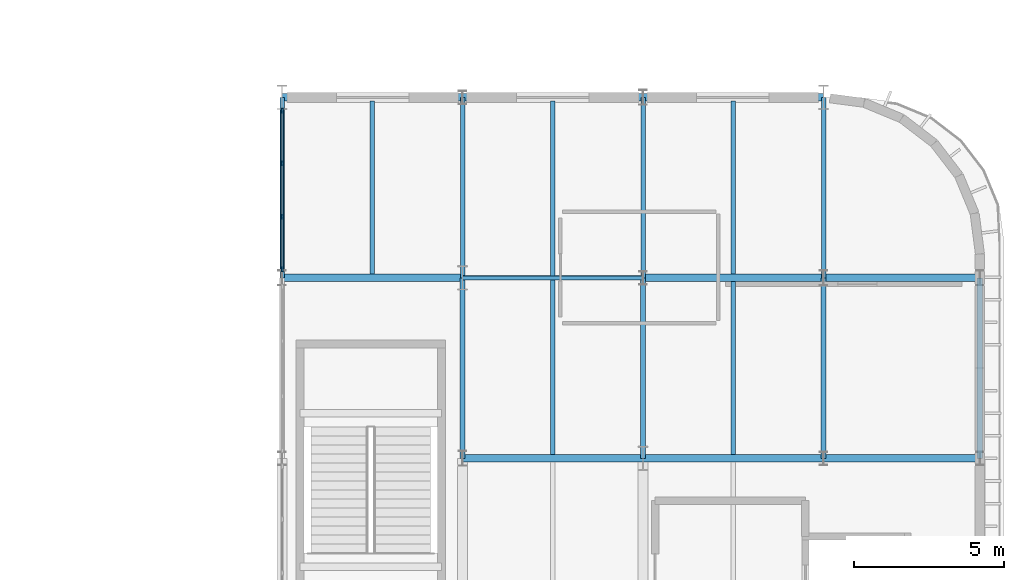
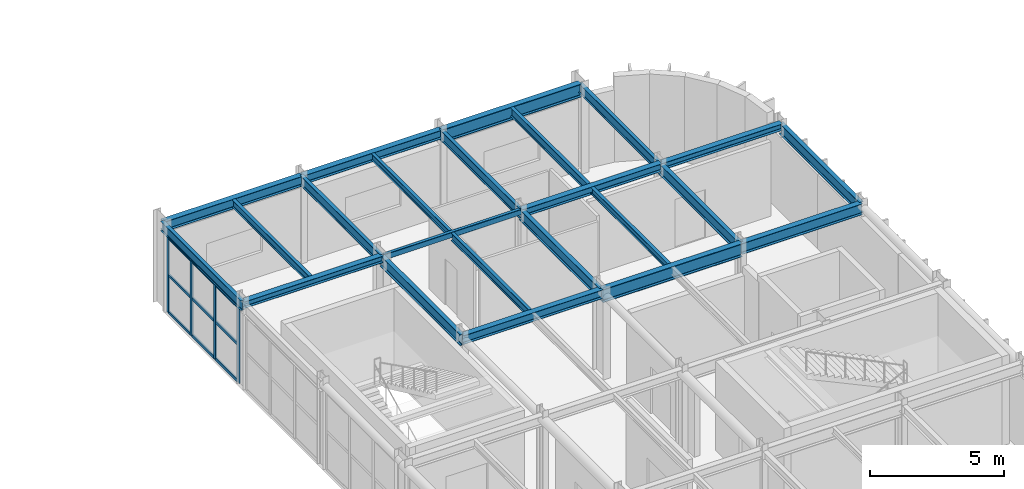
# One storey, part 46 of 83: 23 beams, 13 members, 1 element without a shape of its own.
"""IFC4 building model written with IfcOpenShell, lengths in metres."""

from ifc_helpers import new_model, si_unit, direction, frame, origin, origin_2d, place, context, subcontext, project, spatial, rectangle, hollow_rectangle, i_section, extrude, material, material_profile, profile_set, type_object, element, aggregate, save


model = new_model("IFC4")

# Units and contexts
model_context = context("Model", 3, precision=1e-05, world=origin(), true_north=direction((0.0, 1.0)))
body_context = subcontext(model_context, "Body", "Model", "MODEL_VIEW")
ifc_project = project(units=[si_unit("LENGTHUNIT", "METRE"), si_unit("AREAUNIT", "SQUARE_METRE"), si_unit("VOLUMEUNIT", "CUBIC_METRE"), si_unit("PLANEANGLEUNIT", "RADIAN"), si_unit("MASSUNIT", "GRAM", prefix="KILO")], contexts=[model_context])

# Site, building, storey
site_placement = place(None, origin())
site = spatial("IfcSite", under=ifc_project, at=site_placement, CompositionType="ELEMENT")
building_placement = place(site_placement, origin())
building = spatial("IfcBuilding", under=site, at=building_placement, Name="Varnakota Square Police Headquarters", CompositionType="ELEMENT")
storey_placement = place(building_placement, frame((0.0, 0.0, 18.0)))
storey = spatial("IfcBuildingStorey", under=building, at=storey_placement, Name="L04", CompositionType="ELEMENT", Elevation=18.0)

# Beams
ifc_material_1 = material(Name="Steel IS 2062 Grade 350", Category="steel")
ifc_material_profile_1 = material_profile(ifc_material_1, hollow_rectangle(XDim=0.14990234375, YDim=0.25, WallThickness=0.010009765625, InnerFilletRadius=0.010009765625, OuterFilletRadius=0.02001953125, at=origin_2d()), Name="RHS 250x150x10")
ifc_profile_set_1 = profile_set([ifc_material_profile_1], Name="Steel IS 2062 Grade 350")
beam_type_1 = type_object("IfcBeamType", Name="BM-CBEAM-RHS250", PredefinedType="BEAM", material=ifc_profile_set_1)
beam_1_placement = place(storey_placement, frame((144.0, 39.0, 3.77490234375), z_axis=(1.0, 0.0, 0.0), x_axis=(0.0, 1.0, 0.0)))
element("IfcBeam", 1, at=beam_1_placement, inside=storey, type_object=beam_type_1, Name="BMG-L04-2902", PredefinedType="BEAM", context=body_context, shape_type="SweptSolid", body=[
    extrude(hollow_rectangle(XDim=0.14990234375, YDim=0.25, WallThickness=0.010009765625, InnerFilletRadius=0.010009765625, OuterFilletRadius=0.02001953125, at=origin_2d()), origin(), (0.0, 0.0, 1.0), 6.0),
])
ifc_material_profile_2 = material_profile(ifc_material_1, i_section(OverallWidth=0.25, OverallDepth=0.300048828125, WebThickness=0.009521484375, FlangeThickness=0.010498046875, FilletRadius=0.011962890625, at=origin_2d()), Name="ISHB 300")
ifc_profile_set_2 = profile_set([ifc_material_profile_2], Name="Steel IS 2062 Grade 350")
beam_type_2 = type_object("IfcBeamType", Name="BM-ISHB300", PredefinedType="BEAM", material=ifc_profile_set_2)
beam_2_placement = place(storey_placement, frame((138.0, 39.0, 3.75), z_axis=(1.0, 0.0, 0.0), x_axis=(0.0, 1.0, 0.0)))
element("IfcBeam", 2, at=beam_2_placement, inside=storey, type_object=beam_type_2, Name="BMG-L04-2901", PredefinedType="BEAM", context=body_context, shape_type="SweptSolid", body=[
    extrude(i_section(OverallWidth=0.25, OverallDepth=0.300048828125, WebThickness=0.009521484375, FlangeThickness=0.010498046875, FilletRadius=0.011962890625, at=origin_2d()), origin(), (0.0, 0.0, 1.0), 6.0),
])
beam_3_placement = place(storey_placement, frame((156.0, 39.0, 3.75), z_axis=(1.0, 0.0, 0.0), x_axis=(0.0, 1.0, 0.0)))
element("IfcBeam", 3, at=beam_3_placement, inside=storey, type_object=beam_type_2, Name="BMG-L04-2904", PredefinedType="BEAM", context=body_context, shape_type="SweptSolid", body=[
    extrude(i_section(OverallWidth=0.25, OverallDepth=0.300048828125, WebThickness=0.009521484375, FlangeThickness=0.010498046875, FilletRadius=0.011962890625, at=origin_2d()), origin(), (0.0, 0.0, 1.0), 5.199951171875),
])
ifc_material_profile_3 = material_profile(ifc_material_1, i_section(OverallWidth=0.25, OverallDepth=0.35009765625, WebThickness=0.010009765625, FlangeThickness=0.01171875, FilletRadius=0.011962890625, at=origin_2d()), Name="ISHB 350")
ifc_profile_set_3 = profile_set([ifc_material_profile_3], Name="Steel IS 2062 Grade 350")
beam_type_3 = type_object("IfcBeamType", Name="BM-ISHB350", PredefinedType="BEAM", material=ifc_profile_set_3)
beam_4_placement = place(storey_placement, frame((150.0, 39.0, 3.72509765625), z_axis=(1.0, 0.0, 0.0), x_axis=(0.0, 1.0, 0.0)))
element("IfcBeam", 4, at=beam_4_placement, inside=storey, type_object=beam_type_3, Name="BMG-L04-2903", PredefinedType="BEAM", context=body_context, shape_type="SweptSolid", body=[
    extrude(i_section(OverallWidth=0.25, OverallDepth=0.35009765625, WebThickness=0.010009765625, FlangeThickness=0.01171875, FilletRadius=0.011962890625, at=origin_2d()), origin(), (0.0, 0.0, 1.0), 6.0),
])
ifc_material_profile_4 = material_profile(ifc_material_1, i_section(OverallWidth=0.25, OverallDepth=0.39990234375, WebThickness=0.010498046875, FlangeThickness=0.0126953125, FilletRadius=0.013916015625, at=origin_2d()), Name="ISHB 400")
ifc_profile_set_4 = profile_set([ifc_material_profile_4], Name="Steel IS 2062 Grade 350")
beam_type_4 = type_object("IfcBeamType", Name="BM-ISHB400", PredefinedType="BEAM", material=ifc_profile_set_4)
for number, where, z_axis, x_axis, name in (
    (5, (144.0, 33.0, 3.699951171875), (1.0, 0.0, 0.0), (0.0, 1.0, 0.0), "BMG-L04-2892"),
    (6, (144.0, 45.0, 3.699951171875), (1.0, 0.0, 0.0), (0.0, 1.0, 0.0), "BMG-L04-2911"),
):
    element("IfcBeam", number, at=place(storey_placement, frame(where, z_axis=z_axis, x_axis=x_axis)), inside=storey, type_object=beam_type_4, Name=name, PredefinedType="BEAM", context=body_context, shape_type="SweptSolid", body=[
        extrude(i_section(OverallWidth=0.25, OverallDepth=0.39990234375, WebThickness=0.010498046875, FlangeThickness=0.0126953125, FilletRadius=0.013916015625, at=origin_2d()), origin(), (0.0, 0.0, 1.0), 6.0),
    ])
ifc_material_profile_5 = material_profile(ifc_material_1, i_section(OverallWidth=0.25, OverallDepth=0.449951171875, WebThickness=0.01123046875, FlangeThickness=0.013671875, FilletRadius=0.014892578125, at=origin_2d()), Name="ISHB 450")
ifc_profile_set_5 = profile_set([ifc_material_profile_5], Name="Steel IS 2062 Grade 350")
beam_type_5 = type_object("IfcBeamType", Name="BM-ISHB450", PredefinedType="BEAM", material=ifc_profile_set_5)
beam_5_placement = place(storey_placement, frame((138.0, 45.0, 3.675048828125), z_axis=(1.0, 0.0, 0.0), x_axis=(0.0, 1.0, 0.0)))
element("IfcBeam", 7, at=beam_5_placement, inside=storey, type_object=beam_type_5, Name="BMG-L04-2910", PredefinedType="BEAM", context=body_context, shape_type="SweptSolid", body=[
    extrude(i_section(OverallWidth=0.25, OverallDepth=0.449951171875, WebThickness=0.01123046875, FlangeThickness=0.013671875, FilletRadius=0.014892578125, at=origin_2d()), origin(), (0.0, 0.0, 1.0), 6.0),
])
ifc_material_profile_6 = material_profile(ifc_material_1, i_section(OverallWidth=0.139892578125, OverallDepth=0.300048828125, WebThickness=0.0078125, FlangeThickness=0.01318359375, FilletRadius=0.013916015625, at=origin_2d()), Name="ISMB 300")
ifc_profile_set_6 = profile_set([ifc_material_profile_6], Name="Steel IS 2062 Grade 350")
beam_type_6 = type_object("IfcBeamType", Name="BM-ISMB300", PredefinedType="JOIST", material=ifc_profile_set_6)
beam_6_placement = place(storey_placement, frame((147.0, 39.072998046875, 3.75), z_axis=(0.0, 1.0, 0.0), x_axis=(-1.0, 0.0, 0.0)))
element("IfcBeam", 8, at=beam_6_placement, inside=storey, type_object=beam_type_6, Name="BMG-L04-3067", PredefinedType="JOIST", context=body_context, shape_type="SweptSolid", body=[
    extrude(i_section(OverallWidth=0.139892578125, OverallDepth=0.300048828125, WebThickness=0.0078125, FlangeThickness=0.01318359375, FilletRadius=0.013916015625, at=origin_2d()), origin(), (0.0, 0.0, 1.0), 5.803955078125),
])
beam_7_placement = place(storey_placement, frame((153.0, 33.123046875, 3.75), z_axis=(0.0, 1.0, 0.0), x_axis=(-1.0, 0.0, 0.0)))
element("IfcBeam", 9, at=beam_7_placement, inside=storey, type_object=beam_type_6, Name="BMG-L04-3071", PredefinedType="JOIST", context=body_context, shape_type="SweptSolid", body=[
    extrude(i_section(OverallWidth=0.139892578125, OverallDepth=0.300048828125, WebThickness=0.0078125, FlangeThickness=0.01318359375, FilletRadius=0.013916015625, at=origin_2d()), origin(), (0.0, 0.0, 1.0), 5.75390625),
])
ifc_material_profile_7 = material_profile(ifc_material_1, i_section(OverallWidth=0.139892578125, OverallDepth=0.35009765625, WebThickness=0.008056640625, FlangeThickness=0.01416015625, FilletRadius=0.013916015625, at=origin_2d()), Name="ISMB 350")
ifc_profile_set_7 = profile_set([ifc_material_profile_7], Name="Steel IS 2062 Grade 350")
beam_type_7 = type_object("IfcBeamType", Name="BM-ISMB350", PredefinedType="JOIST", material=ifc_profile_set_7)
beam_8_placement = place(storey_placement, frame((141.0, 39.123046875, 3.72509765625), z_axis=(0.0, 1.0, 0.0), x_axis=(-1.0, 0.0, 0.0)))
element("IfcBeam", 10, at=beam_8_placement, inside=storey, type_object=beam_type_7, Name="BMG-L04-3061", PredefinedType="JOIST", context=body_context, shape_type="SweptSolid", body=[
    extrude(i_section(OverallWidth=0.139892578125, OverallDepth=0.35009765625, WebThickness=0.008056640625, FlangeThickness=0.01416015625, FilletRadius=0.013916015625, at=origin_2d()), origin(), (0.0, 0.0, 1.0), 5.75390625),
])
beam_9_placement = place(storey_placement, frame((147.0, 33.123046875, 3.72509765625), z_axis=(0.0, 1.0, 0.0), x_axis=(-1.0, 0.0, 0.0)))
element("IfcBeam", 11, at=beam_9_placement, inside=storey, type_object=beam_type_7, Name="BMG-L04-3066", PredefinedType="JOIST", context=body_context, shape_type="SweptSolid", body=[
    extrude(i_section(OverallWidth=0.139892578125, OverallDepth=0.35009765625, WebThickness=0.008056640625, FlangeThickness=0.01416015625, FilletRadius=0.013916015625, at=origin_2d()), origin(), (0.0, 0.0, 1.0), 5.803955078125),
])
ifc_material_profile_8 = material_profile(ifc_material_1, i_section(OverallWidth=0.139892578125, OverallDepth=0.39990234375, WebThickness=0.0087890625, FlangeThickness=0.01611328125, FilletRadius=0.013916015625, at=origin_2d()), Name="ISMB 400")
ifc_profile_set_8 = profile_set([ifc_material_profile_8], Name="Steel IS 2062 Grade 350")
beam_type_8 = type_object("IfcBeamType", Name="BM-ISMB400", PredefinedType="JOIST", material=ifc_profile_set_8)
beam_10_placement = place(storey_placement, frame((153.0, 39.123046875, 3.699951171875), z_axis=(0.0, 1.0, 0.0), x_axis=(-1.0, 0.0, 0.0)))
element("IfcBeam", 12, at=beam_10_placement, inside=storey, type_object=beam_type_8, Name="BMG-L04-3072", PredefinedType="JOIST", context=body_context, shape_type="SweptSolid", body=[
    extrude(i_section(OverallWidth=0.139892578125, OverallDepth=0.39990234375, WebThickness=0.0087890625, FlangeThickness=0.01611328125, FilletRadius=0.013916015625, at=origin_2d()), origin(), (0.0, 0.0, 1.0), 5.75390625),
])
ifc_material_profile_9 = material_profile(ifc_material_1, i_section(OverallWidth=0.14990234375, OverallDepth=0.449951171875, WebThickness=0.009521484375, FlangeThickness=0.017333984375, FilletRadius=0.014892578125, at=origin_2d()), Name="ISMB 450")
ifc_profile_set_9 = profile_set([ifc_material_profile_9], Name="Steel IS 2062 Grade 350")
beam_type_9 = type_object("IfcBeamType", Name="BM-ISMB450", PredefinedType="BEAM", material=ifc_profile_set_9)
for number, where, z_axis, x_axis, name in (
    (13, (138.0, 39.0, 3.675048828125), (0.0, 1.0, 0.0), (-1.0, 0.0, 0.0), "BMG-L04-2997"),
    (14, (144.0, 39.0, 3.675048828125), (0.0, 1.0, 0.0), (-1.0, 0.0, 0.0), "BMG-L04-3004"),
    (15, (150.0, 39.0, 3.675048828125), (0.0, 1.0, 0.0), (-1.0, 0.0, 0.0), "BMG-L04-3011"),
    (16, (156.0, 39.0, 3.675048828125), (0.0, 1.0, 0.0), (-1.0, 0.0, 0.0), "BMG-L04-3016"),
):
    element("IfcBeam", number, at=place(storey_placement, frame(where, z_axis=z_axis, x_axis=x_axis)), inside=storey, type_object=beam_type_9, Name=name, PredefinedType="BEAM", context=body_context, shape_type="SweptSolid", body=[
        extrude(i_section(OverallWidth=0.14990234375, OverallDepth=0.449951171875, WebThickness=0.009521484375, FlangeThickness=0.017333984375, FilletRadius=0.014892578125, at=origin_2d()), origin(), (0.0, 0.0, 1.0), 6.0),
    ])
ifc_material_profile_10 = material_profile(ifc_material_1, i_section(OverallWidth=0.179931640625, OverallDepth=0.5, WebThickness=0.01025390625, FlangeThickness=0.01708984375, FilletRadius=0.01708984375, at=origin_2d()), Name="ISMB 500")
ifc_profile_set_10 = profile_set([ifc_material_profile_10], Name="Steel IS 2062 Grade 350")
beam_type_10 = type_object("IfcBeamType", Name="BM-ISMB500", PredefinedType="BEAM", material=ifc_profile_set_10)
for number, where, z_axis, x_axis, name in (
    (17, (144.0, 33.0, 3.64990234375), (0.0, 1.0, 0.0), (-1.0, 0.0, 0.0), "BMG-L04-3003"),
    (18, (150.0, 33.0, 3.64990234375), (0.0, 1.0, 0.0), (-1.0, 0.0, 0.0), "BMG-L04-3010"),
    (19, (156.0, 33.0, 3.64990234375), (0.0, 1.0, 0.0), (-1.0, 0.0, 0.0), "BMG-L04-3015"),
    (20, (161.199951171875, 33.0, 3.64990234375), (0.0, 1.0, 0.0), (-1.0, 0.0, 0.0), "BMG-L04-3021"),
):
    element("IfcBeam", number, at=place(storey_placement, frame(where, z_axis=z_axis, x_axis=x_axis)), inside=storey, type_object=beam_type_10, Name=name, PredefinedType="BEAM", context=body_context, shape_type="SweptSolid", body=[
        extrude(i_section(OverallWidth=0.179931640625, OverallDepth=0.5, WebThickness=0.01025390625, FlangeThickness=0.01708984375, FilletRadius=0.01708984375, at=origin_2d()), origin(), (0.0, 0.0, 1.0), 6.0),
    ])
ifc_material_profile_11 = material_profile(ifc_material_1, i_section(OverallWidth=0.25, OverallDepth=0.5, WebThickness=0.010009765625, FlangeThickness=0.0146484375, FilletRadius=0.014892578125, at=origin_2d()), Name="ISWB 500")
ifc_profile_set_11 = profile_set([ifc_material_profile_11], Name="Steel IS 2062 Grade 350")
beam_type_11 = type_object("IfcBeamType", Name="BM-ISWB500", PredefinedType="BEAM", material=ifc_profile_set_11)
beam_11_placement = place(storey_placement, frame((156.0, 33.0, 3.64990234375), z_axis=(1.0, 0.0, 0.0), x_axis=(0.0, 1.0, 0.0)))
element("IfcBeam", 21, at=beam_11_placement, inside=storey, type_object=beam_type_11, Name="BMG-L04-2894", PredefinedType="BEAM", context=body_context, shape_type="SweptSolid", body=[
    extrude(i_section(OverallWidth=0.25, OverallDepth=0.5, WebThickness=0.010009765625, FlangeThickness=0.0146484375, FilletRadius=0.014892578125, at=origin_2d()), origin(), (0.0, 0.0, 1.0), 5.199951171875),
])
ifc_material_profile_12 = material_profile(ifc_material_1, i_section(OverallWidth=0.25, OverallDepth=0.60009765625, WebThickness=0.01171875, FlangeThickness=0.023681640625, FilletRadius=0.01708984375, at=origin_2d()), Name="ISWB 600")
ifc_profile_set_12 = profile_set([ifc_material_profile_12], Name="Steel IS 2062 Grade 350")
beam_type_12 = type_object("IfcBeamType", Name="BM-ISWB600", PredefinedType="BEAM", material=ifc_profile_set_12)
for number, where, z_axis, x_axis, name in (
    (22, (150.0, 33.0, 3.60009765625), (1.0, 0.0, 0.0), (0.0, 1.0, 0.0), "BMG-L04-2893"),
    (23, (150.0, 45.0, 3.60009765625), (1.0, 0.0, 0.0), (0.0, 1.0, 0.0), "BMG-L04-2912"),
):
    element("IfcBeam", number, at=place(storey_placement, frame(where, z_axis=z_axis, x_axis=x_axis)), inside=storey, type_object=beam_type_12, Name=name, PredefinedType="BEAM", context=body_context, shape_type="SweptSolid", body=[
        extrude(i_section(OverallWidth=0.25, OverallDepth=0.60009765625, WebThickness=0.01171875, FlangeThickness=0.023681640625, FilletRadius=0.01708984375, at=origin_2d()), origin(), (0.0, 0.0, 1.0), 6.0),
    ])

# Curtain wall, members
ifc_material_2 = material(Name="Anodised Aluminium Framing", Category="aluminium")
curtain_wall_type = type_object("IfcCurtainWallType", Name="CW-SYS-E", PredefinedType="NOTDEFINED", material=ifc_material_2)
curtain_wall_placement = place(storey_placement, origin())
curtain_wall = element("IfcCurtainWall", 24, at=curtain_wall_placement, inside=storey, type_object=curtain_wall_type, Name="Unitised curtain wall CWG-L04-098", PredefinedType="NOTDEFINED")
ifc_material_3 = material(Name="Anodised Aluminium 6063-T6", Category="aluminium")
ifc_material_profile_13 = material_profile(ifc_material_3, rectangle(XDim=0.06494140625, YDim=0.159912109375, at=origin_2d()), Name="ALU MULLION 65x160")
ifc_profile_set_13 = profile_set([ifc_material_profile_13], Name="Anodised Aluminium 6063-T6")
member_type_1 = type_object("IfcMemberType", Name="CWM-150", PredefinedType="MULLION", material=ifc_profile_set_13)
member_1_placement = place(storey_placement, frame((138.0, 39.28759765625, 0.0), z_axis=(0.0, 0.0, 1.0), x_axis=(-1.0, 0.0, 0.0)))
member_1 = element("IfcMember", 25, at=member_1_placement, type_object=member_type_1, Name="CWG-L04-098 mullion 1", PredefinedType="MULLION", context=body_context, shape_type="SweptSolid", body=[
    extrude(rectangle(XDim=0.06494140625, YDim=0.159912109375, at=origin_2d()), origin(), (0.0, 0.0, 1.0), 3.43994140625),
])
member_2_placement = place(storey_placement, frame((138.0, 41.034912109375, 0.0), z_axis=(0.0, 0.0, 1.0), x_axis=(-1.0, 0.0, 0.0)))
member_2 = element("IfcMember", 26, at=member_2_placement, type_object=member_type_1, Name="CWG-L04-098 mullion 2", PredefinedType="MULLION", context=body_context, shape_type="SweptSolid", body=[
    extrude(rectangle(XDim=0.06494140625, YDim=0.159912109375, at=origin_2d()), origin(), (0.0, 0.0, 1.0), 3.43994140625),
])
member_3_placement = place(storey_placement, frame((138.0, 42.81494140625, 0.0), z_axis=(0.0, 0.0, 1.0), x_axis=(-1.0, 0.0, 0.0)))
member_3 = element("IfcMember", 27, at=member_3_placement, type_object=member_type_1, Name="CWG-L04-098 mullion 3", PredefinedType="MULLION", context=body_context, shape_type="SweptSolid", body=[
    extrude(rectangle(XDim=0.06494140625, YDim=0.159912109375, at=origin_2d()), origin(), (0.0, 0.0, 1.0), 3.43994140625),
])
member_4_placement = place(storey_placement, frame((138.0, 44.5625, 0.0), z_axis=(0.0, 0.0, 1.0), x_axis=(-1.0, 0.0, 0.0)))
member_4 = element("IfcMember", 28, at=member_4_placement, type_object=member_type_1, Name="CWG-L04-098 mullion 4", PredefinedType="MULLION", context=body_context, shape_type="SweptSolid", body=[
    extrude(rectangle(XDim=0.06494140625, YDim=0.159912109375, at=origin_2d()), origin(), (0.0, 0.0, 1.0), 3.43994140625),
])
ifc_material_profile_14 = material_profile(ifc_material_3, rectangle(XDim=0.06494140625, YDim=0.1298828125, at=origin_2d()), Name="ALU TRANSOM 65x130")
ifc_profile_set_14 = profile_set([ifc_material_profile_14], Name="Anodised Aluminium 6063-T6")
member_type_2 = type_object("IfcMemberType", Name="CWT-120", PredefinedType="USERDEFINED", material=ifc_profile_set_14)
member_5_placement = place(storey_placement, frame((138.0, 39.320068359375, 0.032470703125), z_axis=(0.0, 1.0, 0.0), x_axis=(-1.0, 0.0, 0.0)))
member_5 = element("IfcMember", 29, at=member_5_placement, type_object=member_type_2, Name="CWG-L04-098 transom 1.1", ObjectType="TRANSOM", PredefinedType="USERDEFINED", context=body_context, shape_type="SweptSolid", body=[
    extrude(rectangle(XDim=0.06494140625, YDim=0.1298828125, at=origin_2d()), origin(), (0.0, 0.0, 1.0), 1.682373046875),
])
member_6_placement = place(storey_placement, frame((138.0, 39.320068359375, 1.719970703125), z_axis=(0.0, 1.0, 0.0), x_axis=(-1.0, 0.0, 0.0)))
member_6 = element("IfcMember", 30, at=member_6_placement, type_object=member_type_2, Name="CWG-L04-098 transom 1.2", ObjectType="TRANSOM", PredefinedType="USERDEFINED", context=body_context, shape_type="SweptSolid", body=[
    extrude(rectangle(XDim=0.06494140625, YDim=0.1298828125, at=origin_2d()), origin(), (0.0, 0.0, 1.0), 1.682373046875),
])
member_7_placement = place(storey_placement, frame((138.0, 39.320068359375, 3.407470703125), z_axis=(0.0, 1.0, 0.0), x_axis=(-1.0, 0.0, 0.0)))
member_7 = element("IfcMember", 31, at=member_7_placement, type_object=member_type_2, Name="CWG-L04-098 transom 1.3", ObjectType="TRANSOM", PredefinedType="USERDEFINED", context=body_context, shape_type="SweptSolid", body=[
    extrude(rectangle(XDim=0.06494140625, YDim=0.1298828125, at=origin_2d()), origin(), (0.0, 0.0, 1.0), 1.682373046875),
])
member_8_placement = place(storey_placement, frame((138.0, 41.0673828125, 0.032470703125), z_axis=(0.0, 1.0, 0.0), x_axis=(-1.0, 0.0, 0.0)))
member_8 = element("IfcMember", 32, at=member_8_placement, type_object=member_type_2, Name="CWG-L04-098 transom 2.1", ObjectType="TRANSOM", PredefinedType="USERDEFINED", context=body_context, shape_type="SweptSolid", body=[
    extrude(rectangle(XDim=0.06494140625, YDim=0.1298828125, at=origin_2d()), origin(), (0.0, 0.0, 1.0), 1.715087890625),
])
member_9_placement = place(storey_placement, frame((138.0, 41.0673828125, 1.719970703125), z_axis=(0.0, 1.0, 0.0), x_axis=(-1.0, 0.0, 0.0)))
member_9 = element("IfcMember", 33, at=member_9_placement, type_object=member_type_2, Name="CWG-L04-098 transom 2.2", ObjectType="TRANSOM", PredefinedType="USERDEFINED", context=body_context, shape_type="SweptSolid", body=[
    extrude(rectangle(XDim=0.06494140625, YDim=0.1298828125, at=origin_2d()), origin(), (0.0, 0.0, 1.0), 1.715087890625),
])
member_10_placement = place(storey_placement, frame((138.0, 41.0673828125, 3.407470703125), z_axis=(0.0, 1.0, 0.0), x_axis=(-1.0, 0.0, 0.0)))
member_10 = element("IfcMember", 34, at=member_10_placement, type_object=member_type_2, Name="CWG-L04-098 transom 2.3", ObjectType="TRANSOM", PredefinedType="USERDEFINED", context=body_context, shape_type="SweptSolid", body=[
    extrude(rectangle(XDim=0.06494140625, YDim=0.1298828125, at=origin_2d()), origin(), (0.0, 0.0, 1.0), 1.715087890625),
])
member_11_placement = place(storey_placement, frame((138.0, 42.847412109375, 0.032470703125), z_axis=(0.0, 1.0, 0.0), x_axis=(-1.0, 0.0, 0.0)))
member_11 = element("IfcMember", 35, at=member_11_placement, type_object=member_type_2, Name="CWG-L04-098 transom 3.1", ObjectType="TRANSOM", PredefinedType="USERDEFINED", context=body_context, shape_type="SweptSolid", body=[
    extrude(rectangle(XDim=0.06494140625, YDim=0.1298828125, at=origin_2d()), origin(), (0.0, 0.0, 1.0), 1.6826171875),
])
member_12_placement = place(storey_placement, frame((138.0, 42.847412109375, 1.719970703125), z_axis=(0.0, 1.0, 0.0), x_axis=(-1.0, 0.0, 0.0)))
member_12 = element("IfcMember", 36, at=member_12_placement, type_object=member_type_2, Name="CWG-L04-098 transom 3.2", ObjectType="TRANSOM", PredefinedType="USERDEFINED", context=body_context, shape_type="SweptSolid", body=[
    extrude(rectangle(XDim=0.06494140625, YDim=0.1298828125, at=origin_2d()), origin(), (0.0, 0.0, 1.0), 1.6826171875),
])
member_13_placement = place(storey_placement, frame((138.0, 42.847412109375, 3.407470703125), z_axis=(0.0, 1.0, 0.0), x_axis=(-1.0, 0.0, 0.0)))
member_13 = element("IfcMember", 37, at=member_13_placement, type_object=member_type_2, Name="CWG-L04-098 transom 3.3", ObjectType="TRANSOM", PredefinedType="USERDEFINED", context=body_context, shape_type="SweptSolid", body=[
    extrude(rectangle(XDim=0.06494140625, YDim=0.1298828125, at=origin_2d()), origin(), (0.0, 0.0, 1.0), 1.6826171875),
])
aggregate(curtain_wall, [member_1, member_2, member_3, member_4, member_5, member_6, member_7, member_8, member_9, member_10, member_11, member_12, member_13])

save(model, "model.ifc")
